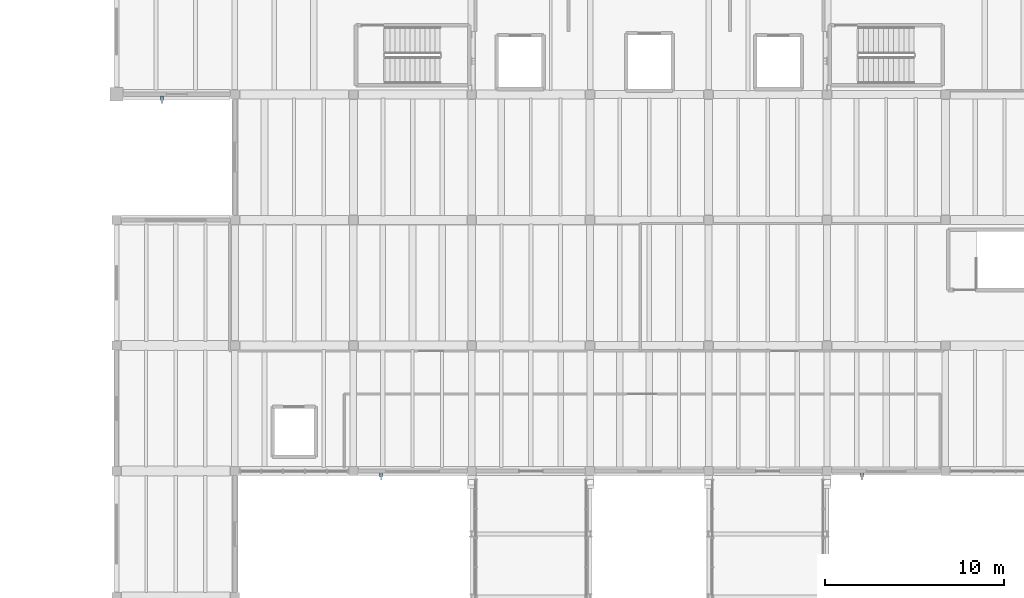
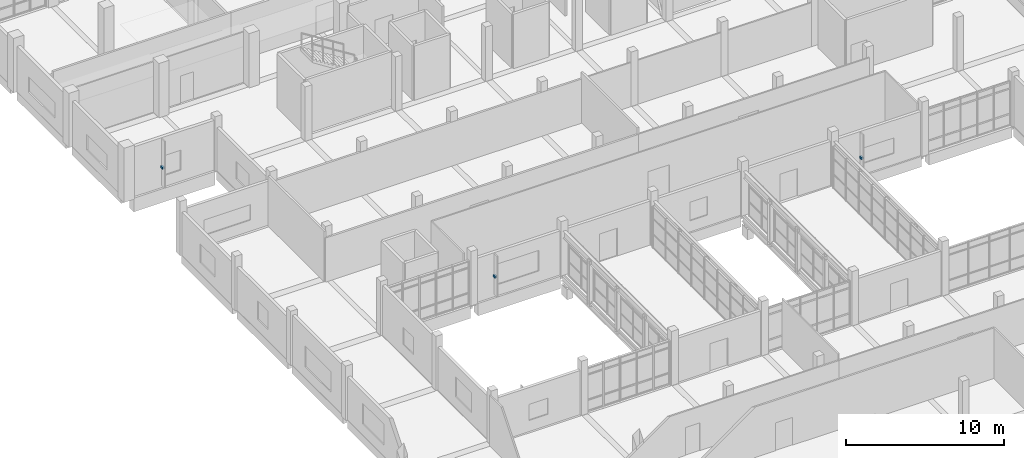
# One storey, part 56 of 65: 3 discrete accessories.
"""IFC4 building model written with IfcOpenShell, lengths in metres."""

from ifc_helpers import new_model, si_unit, direction, frame, origin, origin_2d, place, context, subcontext, project, spatial, rectangle, extrude, material, type_object, element, save


model = new_model("IFC4")

# Units and contexts
model_context = context("Model", 3, precision=1e-05, world=origin(), true_north=direction((0.0, 1.0)))
body_context = subcontext(model_context, "Body", "Model", "MODEL_VIEW")
ifc_project = project(units=[si_unit("LENGTHUNIT", "METRE"), si_unit("AREAUNIT", "SQUARE_METRE"), si_unit("VOLUMEUNIT", "CUBIC_METRE"), si_unit("PLANEANGLEUNIT", "RADIAN"), si_unit("MASSUNIT", "GRAM", prefix="KILO")], contexts=[model_context])

# Site, building, storey
site_placement = place(None, origin())
site = spatial("IfcSite", under=ifc_project, at=site_placement, CompositionType="ELEMENT")
building_placement = place(site_placement, origin())
building = spatial("IfcBuilding", under=site, at=building_placement, Name="Ciguamira Faculty of Natural Sciences", CompositionType="ELEMENT")
storey_placement = place(building_placement, frame((0.0, 0.0, 12.60009765625)))
storey = spatial("IfcBuildingStorey", under=building, at=storey_placement, Name="L03", CompositionType="ELEMENT", Elevation=12.60009765625)

# Discrete accessories
ifc_material = material(Name="Stainless steel fixing bracket", Category="steel")
discrete_accessory_type = type_object("IfcDiscreteAccessoryType", Name="FacadeBracket_BK01", PredefinedType="BRACKET", material=ifc_material)
for number, where, z_axis, x_axis, name in (
    (1, (72.050048828125, 72.7900390625, 1.56982421875), (0.0, 0.0, 1.0), (1.0, 0.0, 0.0), "L03 sunshade fixing bracket 0025"),
    (2, (98.85009765625, 72.7900390625, 1.3701171875), (0.0, 0.0, 1.0), (1.0, 0.0, 0.0), "L03 sunshade fixing bracket 0026"),
    (3, (59.83740234375, 93.780029296875, 1.544921875), (0.0, 0.0, 1.0), (1.0, 0.0, 0.0), "L03 sunshade fixing bracket 0027"),
):
    element("IfcDiscreteAccessory", number, at=place(storey_placement, frame(where, z_axis=z_axis, x_axis=x_axis)), inside=storey, type_object=discrete_accessory_type, Name=name, PredefinedType="BRACKET", context=body_context, shape_type="SweptSolid", body=[
        extrude(rectangle(XDim=0.159912109375, YDim=0.239990234375, at=origin_2d()), origin(), (0.0, 0.0, 1.0), 0.159912109375),
    ])

save(model, "model.ifc")
